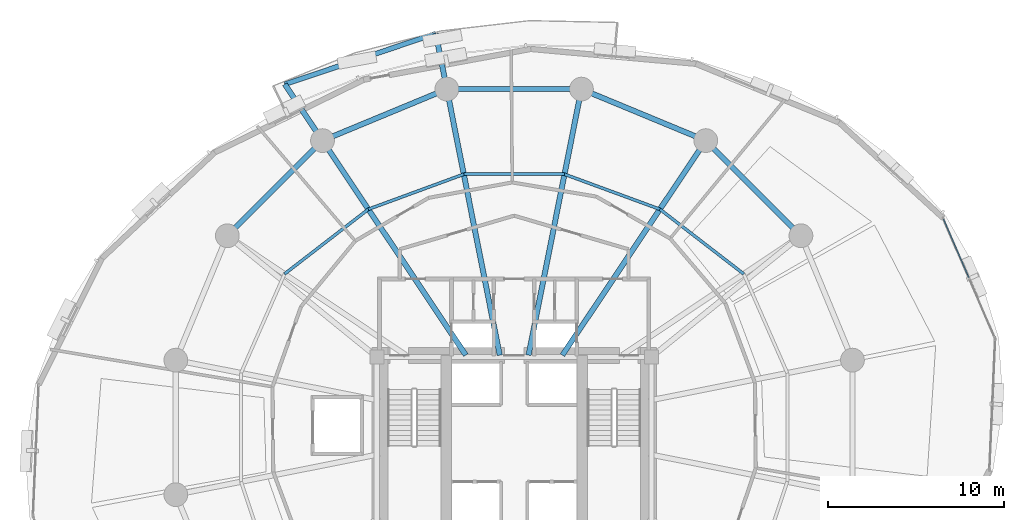
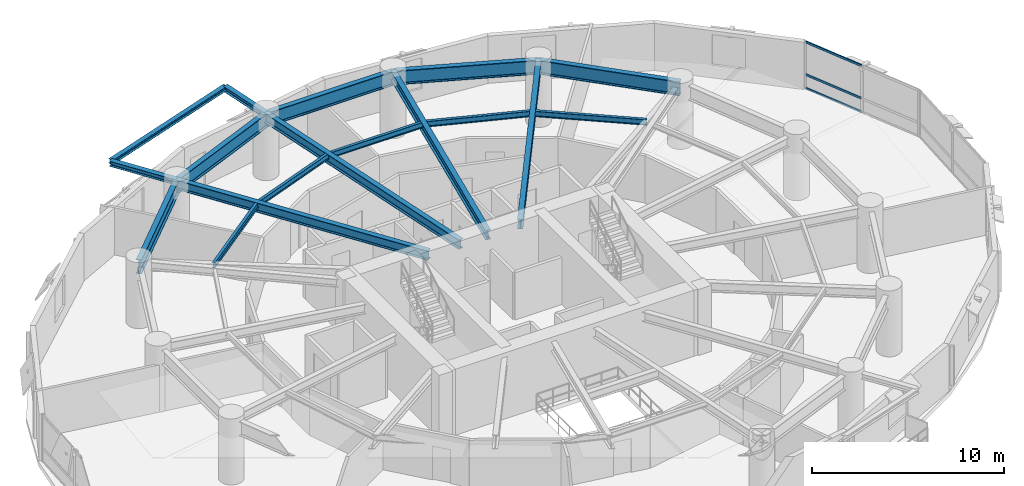
# One storey, part 9 of 17: 17 beams, 3 members, 1 element without a shape of its own.
"""IFC4 building model written with IfcOpenShell, lengths in metres."""

import ifcopenshell
import ifcopenshell.guid

model = None  # the IFC model being written
_history = None  # IfcOwnerHistory: only IFC2X3 demands one
_inside = {}  # id of a spatial element -> (the spatial element, [elements in it])
_under = {}  # id of a project, library or spatial element -> (it, [spatial elements below it])
_declared = {}  # id of a project -> (the project, [libraries it declares])
_typed = {}  # id of a type object -> (the type object, [elements of that type])
_made_of = {}  # id of a material, layer set ... -> (it, [elements and type objects made of it])


def new_model(schema):
    """Start an empty IFC model of exactly this schema.

    Asked for "IFC4X3", IfcOpenShell would pick the latest addendum, in which some entities
    have other attributes; the version numbers below select the first issue.
    IFC2X3 requires an IfcOwnerHistory on every rooted entity: one is made here for all.
    """
    global model, _history
    if schema == "IFC4X3":
        model = ifcopenshell.file(schema_version=(4, 3, 0, 0))
    else:
        model = ifcopenshell.file(schema=schema)
    _inside.clear()
    _under.clear()
    _declared.clear()
    _typed.clear()
    _made_of.clear()
    _history = None
    if model.schema == "IFC2X3":
        org = make("IfcOrganization", Name="unknown")
        user = make(
            "IfcPersonAndOrganization",
            ThePerson=make("IfcPerson", FamilyName="unknown"),
            TheOrganization=org,
        )
        app = make(
            "IfcApplication",
            ApplicationDeveloper=org,
            Version="unknown",
            ApplicationFullName="unknown",
            ApplicationIdentifier="unknown",
        )
        _history = make(
            "IfcOwnerHistory",
            OwningUser=user,
            OwningApplication=app,
            ChangeAction="ADDED",
            CreationDate=0,
        )
    return model


def make(cls, **values):
    """One entity of the class cls with the attributes given. An attribute that is None is left unset."""
    return model.create_entity(
        cls, **{name: value for name, value in values.items() if value is not None}
    )


def rooted(cls, **values):
    """An entity with a GlobalId (a new one), such as an element, a storey or a relation."""
    return make(cls, GlobalId=ifcopenshell.guid.new(), OwnerHistory=_history, **values)


def si_unit(unit_type, name, prefix=None):
    """IfcSIUnit, for example si_unit("LENGTHUNIT", "METRE", prefix="MILLI")."""
    return make("IfcSIUnit", UnitType=unit_type, Prefix=prefix, Name=name)


def assignment(units):
    """IfcUnitAssignment: the units of a project."""
    return None if units is None else make("IfcUnitAssignment", Units=units)


def point(xyz):
    """IfcCartesianPoint."""
    return None if xyz is None else make("IfcCartesianPoint", Coordinates=xyz)


def direction(xyz):
    """IfcDirection."""
    return None if xyz is None else make("IfcDirection", DirectionRatios=xyz)


def frame(location, z_axis=None, x_axis=None):
    """IfcAxis2Placement3D, a coordinate frame: its origin and axes. An axis left out is left unset."""
    return make(
        "IfcAxis2Placement3D",
        Location=point(location),
        Axis=direction(z_axis),
        RefDirection=direction(x_axis),
    )


def frame_2d(location, x_axis=None):
    """IfcAxis2Placement2D, a coordinate frame in the plane: its origin and x axis."""
    return make(
        "IfcAxis2Placement2D", Location=point(location), RefDirection=direction(x_axis)
    )


def origin():
    """The frame at (0, 0, 0) with its axes left unset."""
    return frame((0.0, 0.0, 0.0))


def origin_2d():
    """The frame at (0, 0) in the plane with its x axis left unset."""
    return frame_2d((0.0, 0.0))


def place(relative_to, where):
    """IfcLocalPlacement: puts the frame where relative to a parent placement (None: the world)."""
    return make(
        "IfcLocalPlacement", PlacementRelTo=relative_to, RelativePlacement=where
    )


def context(
    kind, dimensions, precision=None, world=None, true_north=None, identifier=None
):
    """IfcGeometricRepresentationContext, for example the 3D "Model" context."""
    return make(
        "IfcGeometricRepresentationContext",
        ContextIdentifier=identifier,
        ContextType=kind,
        CoordinateSpaceDimension=dimensions,
        Precision=precision,
        WorldCoordinateSystem=world,
        TrueNorth=true_north,
    )


def subcontext(parent, identifier, kind, view, scale=None):
    """IfcGeometricRepresentationSubContext, for example "Body" below "Model"."""
    return make(
        "IfcGeometricRepresentationSubContext",
        ContextIdentifier=identifier,
        ContextType=kind,
        ParentContext=parent,
        TargetScale=scale,
        TargetView=view,
    )


def project(units=None, contexts=None):
    """IfcProject with its units and contexts."""
    return rooted(
        "IfcProject",
        Name="project",
        RepresentationContexts=contexts,
        UnitsInContext=assignment(units),
    )


def spatial(cls, under=None, at=None, **own):
    """A site, building, storey or space (cls), placed at a placement, below another one or the project."""
    s = rooted(cls, ObjectPlacement=at, **own)
    if under is not None:
        _under.setdefault(under.id(), (under, []))[1].append(s)
    return s


def profile(cls, at=None, kind="AREA", **sizes):
    """A parametric profile (cls). Its sizes go by their IFC names, for example OverallWidth=200.0."""
    return make(cls, ProfileType=kind, Position=at, **sizes)


def hollow_rectangle(**sizes):
    """IfcRectangleHollowProfileDef."""
    return profile("IfcRectangleHollowProfileDef", **sizes)


def i_section(**sizes):
    """IfcIShapeProfileDef."""
    return profile("IfcIShapeProfileDef", **sizes)


def extrude(swept, where, along, depth):
    """IfcExtrudedAreaSolid: the profile swept, set in the frame where, extruded along a direction by depth."""
    return make(
        "IfcExtrudedAreaSolid",
        SweptArea=swept,
        Position=where,
        ExtrudedDirection=direction(along),
        Depth=depth,
    )


def shape(context_of_items, identifier, shape_type, items):
    """IfcShapeRepresentation: the items that make up one representation, for example the "Body"."""
    return make(
        "IfcShapeRepresentation",
        ContextOfItems=context_of_items,
        RepresentationIdentifier=identifier,
        RepresentationType=shape_type,
        Items=items,
    )


def material(Name=None, Category=None):
    """IfcMaterial."""
    return make("IfcMaterial", Name=Name, Category=Category)


def layer(
    of_material, thickness, ventilated=None, Name=None, Category=None, Priority=None
):
    """IfcMaterialLayer: one layer of a wall or slab, of a material (None: an air gap)."""
    return make(
        "IfcMaterialLayer",
        Material=of_material,
        LayerThickness=thickness,
        IsVentilated=ventilated,
        Name=Name,
        Category=Category,
        Priority=Priority,
    )


def layer_set(layers, Name=None):
    """IfcMaterialLayerSet."""
    return make("IfcMaterialLayerSet", MaterialLayers=layers, LayerSetName=Name)


def material_profile(
    of_material, cross_section, Name=None, Category=None, Priority=None
):
    """IfcMaterialProfile: a cross section and its material."""
    return make(
        "IfcMaterialProfile",
        Name=Name,
        Material=of_material,
        Profile=cross_section,
        Priority=Priority,
        Category=Category,
    )


def profile_set(profiles, Name=None, composite=None):
    """IfcMaterialProfileSet."""
    return make(
        "IfcMaterialProfileSet",
        Name=Name,
        MaterialProfiles=profiles,
        CompositeProfile=composite,
    )


def made_of(thing, what):
    """Note that an element or type object is made of a material, layer set ...; save() writes the relation."""
    if what is not None:
        _made_of.setdefault(what.id(), (what, []))[1].append(thing)
    return thing


def type_object(cls, material=None, **own):
    """A type object (cls), such as IfcWallType, which elements share."""
    return made_of(rooted(cls, **own), material)


def element(
    cls,
    number,
    at=None,
    inside=None,
    cuts=None,
    type_object=None,
    material=None,
    context=None,
    identifier="Body",
    shape_type=None,
    held_by="IfcProductDefinitionShape",
    body=None,
    shapes=None,
    **own,
):
    """One element of the class cls, such as IfcWall. Its Tag is "e" and its number.

    at: its placement. inside: the storey or other place that contains it. cuts: it is an
    opening in that element (IfcRelVoidsElement). A single representation is given by context,
    identifier, shape_type and body (its items); several are given by shapes. held_by: the class
    of the entity that holds the representations. save() writes the other relations.
    """
    e = rooted(cls, Tag="e%d" % number, ObjectPlacement=at, **own)
    if body is not None:
        shapes = [shape(context, identifier, shape_type, body)]
    if shapes is not None:
        e.Representation = make(held_by, Representations=shapes)
    if inside is not None:
        _inside.setdefault(inside.id(), (inside, []))[1].append(e)
    if cuts is not None:
        rooted(
            "IfcRelVoidsElement", RelatingBuildingElement=cuts, RelatedOpeningElement=e
        )
    if type_object is not None:
        _typed.setdefault(type_object.id(), (type_object, []))[1].append(e)
    return made_of(e, material)


def aggregate(whole, parts):
    """IfcRelAggregates: a whole, such as a stair, and the parts it consists of."""
    return rooted("IfcRelAggregates", RelatingObject=whole, RelatedObjects=parts)


def save(model, path):
    """Write the relations noted so far, then the file.

    IfcRelAggregates (storeys below a building ...), IfcRelContainedInSpatialStructure (elements
    in a storey), IfcRelDefinesByType, IfcRelAssociatesMaterial and IfcRelDeclares: one each for
    every whole, place, type object, material and project.
    """
    for whole, parts in _under.values():
        aggregate(whole, parts)
    for where, things in _inside.values():
        rooted(
            "IfcRelContainedInSpatialStructure",
            RelatedElements=things,
            RelatingStructure=where,
        )
    for kind, things in _typed.values():
        rooted("IfcRelDefinesByType", RelatedObjects=things, RelatingType=kind)
    for what, things in _made_of.values():
        rooted("IfcRelAssociatesMaterial", RelatedObjects=things, RelatingMaterial=what)
    for by, libraries in _declared.values():
        rooted("IfcRelDeclares", RelatingContext=by, RelatedDefinitions=libraries)
    model.write(path)


model = new_model("IFC4")

# Units and contexts
model_context = context("Model", 3, precision=1e-05, world=origin(), true_north=direction((0.0, 1.0)))
body_context = subcontext(model_context, "Body", "Model", "MODEL_VIEW")
ifc_project = project(units=[si_unit("LENGTHUNIT", "METRE"), si_unit("AREAUNIT", "SQUARE_METRE"), si_unit("VOLUMEUNIT", "CUBIC_METRE"), si_unit("PLANEANGLEUNIT", "RADIAN"), si_unit("MASSUNIT", "GRAM", prefix="KILO"), si_unit("THERMODYNAMICTEMPERATUREUNIT", "KELVIN"), si_unit("POWERUNIT", "WATT")], contexts=[model_context])

# Site, building, storey
site_placement = place(None, origin())
site = spatial("IfcSite", under=ifc_project, at=site_placement, CompositionType="ELEMENT")
building_placement = place(site_placement, origin())
building = spatial("IfcBuilding", under=site, at=building_placement, Name="Ocrelia Relay Tower", CompositionType="ELEMENT")
storey_placement = place(building_placement, frame((0.0, 0.0, 76.199951171875)))
storey = spatial("IfcBuildingStorey", under=building, at=storey_placement, Name="L17", CompositionType="ELEMENT", Elevation=76.199951171875)

# Beams
ifc_material_1 = material(Name="Steel S355", Category="steel")
ifc_material_profile_1 = material_profile(ifc_material_1, i_section(OverallWidth=0.280029296875, OverallDepth=0.27001953125, WebThickness=0.008056640625, FlangeThickness=0.012939453125, FilletRadius=0.02392578125, at=origin_2d()), Name="HEA 280")
ifc_profile_set_1 = profile_set([ifc_material_profile_1], Name="Steel S355")
beam_type_1 = type_object("IfcBeamType", Name="BM-HEA280", PredefinedType="BEAM", material=ifc_profile_set_1)
beam_1_placement = place(storey_placement, frame((29.548095703125, 48.380615234375, 3.78515625), z_axis=(-0.947889705316, -0.318598660632, 0.0), x_axis=(0.318598660632, -0.947889705316, 0.0)))
element("IfcBeam", 1, at=beam_1_placement, inside=storey, type_object=beam_type_1, Name="L18 Balcony Edge Trimmer Beam B1", PredefinedType="BEAM", context=body_context, shape_type="SweptSolid", body=[
    extrude(i_section(OverallWidth=0.280029296875, OverallDepth=0.27001953125, WebThickness=0.008056640625, FlangeThickness=0.012939453125, FilletRadius=0.02392578125, at=origin_2d()), origin(), (0.0, 0.0, 1.0), 9.047607421875),
])
ifc_material_profile_2 = material_profile(ifc_material_1, i_section(OverallWidth=0.300048828125, OverallDepth=0.330078125, WebThickness=0.009521484375, FlangeThickness=0.0166015625, FilletRadius=0.027099609375, at=origin_2d()), Name="HEA 340")
ifc_profile_set_2 = profile_set([ifc_material_profile_2], Name="Steel S355")
beam_type_2 = type_object("IfcBeamType", Name="BM-HEA340", PredefinedType="BEAM", material=ifc_profile_set_2)
beam_2_placement = place(storey_placement, frame((30.17626953125, 45.223388671875, 3.755126953125), z_axis=(-0.195138855829, 0.980775625179, 0.0), x_axis=(-0.980775625179, -0.195138855829, 0.0)))
element("IfcBeam", 2, at=beam_2_placement, inside=storey, type_object=beam_type_2, Name="L18 Balcony Cantilever Beam B1-1", PredefinedType="BEAM", context=body_context, shape_type="SweptSolid", body=[
    extrude(i_section(OverallWidth=0.300048828125, OverallDepth=0.330078125, WebThickness=0.009521484375, FlangeThickness=0.0166015625, FilletRadius=0.027099609375, at=origin_2d()), origin(), (0.0, 0.0, 1.0), 3.218994140625),
])
beam_3_placement = place(storey_placement, frame((23.11083984375, 42.296875, 3.755126953125), z_axis=(-0.555563293078, 0.831474249382, 0.0), x_axis=(-0.831474249382, -0.555563293078, 0.0)))
element("IfcBeam", 3, at=beam_3_placement, inside=storey, type_object=beam_type_2, Name="L18 Balcony Cantilever Beam B1-2", PredefinedType="BEAM", context=body_context, shape_type="SweptSolid", body=[
    extrude(i_section(OverallWidth=0.300048828125, OverallDepth=0.330078125, WebThickness=0.009521484375, FlangeThickness=0.0166015625, FilletRadius=0.027099609375, at=origin_2d()), origin(), (0.0, 0.0, 1.0), 3.85009765625),
])
ifc_material_profile_3 = material_profile(ifc_material_1, i_section(OverallWidth=0.300048828125, OverallDepth=0.60009765625, WebThickness=0.015380859375, FlangeThickness=0.030029296875, FilletRadius=0.027099609375, at=origin_2d()), Name="HEB 600")
ifc_profile_set_3 = profile_set([ifc_material_profile_3], Name="Steel S355")
beam_type_3 = type_object("IfcBeamType", Name="BM-HEB600", PredefinedType="BEAM", material=ifc_profile_set_3)
beam_4_placement = place(storey_placement, frame((44.88916015625, 42.296875, 3.6201171875), z_axis=(-0.555564422059, -0.831473495033, 0.0), x_axis=(0.831473495033, -0.555564422059, 0.0)))
element("IfcBeam", 4, at=beam_4_placement, inside=storey, type_object=beam_type_3, Name="L17 Radial Floor Girder R03", PredefinedType="BEAM", context=body_context, shape_type="SweptSolid", body=[
    extrude(i_section(OverallWidth=0.300048828125, OverallDepth=0.60009765625, WebThickness=0.015380859375, FlangeThickness=0.030029296875, FilletRadius=0.027099609375, at=origin_2d()), origin(), (0.0, 0.0, 1.0), 14.6630859375),
])
for number, where, z_axis, x_axis, name in (
    (5, (37.82373046875, 45.223388671875, 3.6201171875), (-0.19509567956, -0.980784214706, 0.0), (0.980784214706, -0.19509567956, 0.0), "L17 Radial Floor Girder R04"),
    (6, (30.17626953125, 45.223388671875, 3.6201171875), (0.19509567956, -0.980784214706, 0.0), (0.980784214706, 0.19509567956, 0.0), "L17 Radial Floor Girder R05"),
):
    element("IfcBeam", number, at=place(storey_placement, frame(where, z_axis=z_axis, x_axis=x_axis)), inside=storey, type_object=beam_type_3, Name=name, PredefinedType="BEAM", context=body_context, shape_type="SweptSolid", body=[
        extrude(i_section(OverallWidth=0.300048828125, OverallDepth=0.60009765625, WebThickness=0.015380859375, FlangeThickness=0.030029296875, FilletRadius=0.027099609375, at=origin_2d()), origin(), (0.0, 0.0, 1.0), 15.41455078125),
    ])
beam_5_placement = place(storey_placement, frame((23.11083984375, 42.296875, 3.6201171875), z_axis=(0.555564422059, -0.831473495033, 0.0), x_axis=(0.831473495033, 0.555564422059, 0.0)))
element("IfcBeam", 7, at=beam_5_placement, inside=storey, type_object=beam_type_3, Name="L17 Radial Floor Girder R06", PredefinedType="BEAM", context=body_context, shape_type="SweptSolid", body=[
    extrude(i_section(OverallWidth=0.300048828125, OverallDepth=0.60009765625, WebThickness=0.015380859375, FlangeThickness=0.030029296875, FilletRadius=0.027099609375, at=origin_2d()), origin(), (0.0, 0.0, 1.0), 14.6630859375),
])
ifc_material_profile_4 = material_profile(ifc_material_1, i_section(OverallWidth=0.300048828125, OverallDepth=0.89990234375, WebThickness=0.0185546875, FlangeThickness=0.034912109375, FilletRadius=0.030029296875, at=origin_2d()), Name="HEB 900")
ifc_profile_set_4 = profile_set([ifc_material_profile_4], Name="Steel S355")
beam_type_4 = type_object("IfcBeamType", Name="BM-HEB900", PredefinedType="BEAM", material=ifc_profile_set_4)
beam_6_placement = place(storey_placement, frame((50.296875, 36.88916015625, 3.469970703125), z_axis=(-0.707106781187, 0.707106781187, 0.0), x_axis=(-0.707106781187, -0.707106781187, 0.0)))
element("IfcBeam", 8, at=beam_6_placement, inside=storey, type_object=beam_type_4, Name="L17 Perimeter Spandrel Beam S02", PredefinedType="BEAM", context=body_context, shape_type="SweptSolid", body=[
    extrude(i_section(OverallWidth=0.300048828125, OverallDepth=0.89990234375, WebThickness=0.0185546875, FlangeThickness=0.034912109375, FilletRadius=0.030029296875, at=origin_2d()), origin(), (0.0, 0.0, 1.0), 7.647705078125),
])
for number, where, z_axis, x_axis, name in (
    (9, (44.88916015625, 42.296875, 3.469970703125), (-0.923883375589, 0.382674154222, 0.0), (-0.382674154222, -0.923883375589, 0.0), "L17 Perimeter Spandrel Beam S03"),
    (10, (37.82373046875, 45.223388671875, 3.469970703125), (-1.0, 0.0, 0.0), (0.0, -1.0, 0.0), "L17 Perimeter Spandrel Beam S04"),
    (11, (30.17626953125, 45.223388671875, 3.469970703125), (-0.923883375589, -0.382674154222, 0.0), (0.382674154222, -0.923883375589, 0.0), "L17 Perimeter Spandrel Beam S05"),
):
    element("IfcBeam", number, at=place(storey_placement, frame(where, z_axis=z_axis, x_axis=x_axis)), inside=storey, type_object=beam_type_4, Name=name, PredefinedType="BEAM", context=body_context, shape_type="SweptSolid", body=[
        extrude(i_section(OverallWidth=0.300048828125, OverallDepth=0.89990234375, WebThickness=0.0185546875, FlangeThickness=0.034912109375, FilletRadius=0.030029296875, at=origin_2d()), origin(), (0.0, 0.0, 1.0), 7.6474609375),
    ])
beam_7_placement = place(storey_placement, frame((23.11083984375, 42.296875, 3.469970703125), z_axis=(-0.707106781187, -0.707106781187, 0.0), x_axis=(0.707106781187, -0.707106781187, 0.0)))
element("IfcBeam", 12, at=beam_7_placement, inside=storey, type_object=beam_type_4, Name="L17 Perimeter Spandrel Beam S06", PredefinedType="BEAM", context=body_context, shape_type="SweptSolid", body=[
    extrude(i_section(OverallWidth=0.300048828125, OverallDepth=0.89990234375, WebThickness=0.0185546875, FlangeThickness=0.034912109375, FilletRadius=0.030029296875, at=origin_2d()), origin(), (0.0, 0.0, 1.0), 7.647705078125),
])
ifc_material_profile_5 = material_profile(ifc_material_1, i_section(OverallWidth=0.169921875, OverallDepth=0.360107421875, WebThickness=0.008056640625, FlangeThickness=0.0126953125, FilletRadius=0.01806640625, at=origin_2d()), Name="IPE 360")
ifc_profile_set_5 = profile_set([ifc_material_profile_5], Name="Steel S355")
beam_type_5 = type_object("IfcBeamType", Name="BM-IPE360", PredefinedType="JOIST", material=ifc_profile_set_5)
beam_8_placement = place(storey_placement, frame((47.0478515625, 34.71826171875, 3.739990234375), z_axis=(-0.791694256239, 0.610917510502, 0.0), x_axis=(-0.610917510502, -0.791694256239, 0.0)))
element("IfcBeam", 13, at=beam_8_placement, inside=storey, type_object=beam_type_5, Name="L17 Secondary Floor Joist J02", PredefinedType="JOIST", context=body_context, shape_type="SweptSolid", body=[
    extrude(i_section(OverallWidth=0.169921875, OverallDepth=0.360107421875, WebThickness=0.008056640625, FlangeThickness=0.0126953125, FilletRadius=0.01806640625, at=origin_2d()), origin(), (0.0, 0.0, 1.0), 6.019287109375),
])
beam_9_placement = place(storey_placement, frame((42.282470703125, 38.3955078125, 3.739990234375), z_axis=(-0.938745977034, 0.344609910773, 0.0), x_axis=(-0.344609910773, -0.938745977034, 0.0)))
element("IfcBeam", 14, at=beam_9_placement, inside=storey, type_object=beam_type_5, Name="L17 Secondary Floor Joist J03", PredefinedType="JOIST", context=body_context, shape_type="SweptSolid", body=[
    extrude(i_section(OverallWidth=0.169921875, OverallDepth=0.360107421875, WebThickness=0.008056640625, FlangeThickness=0.0126953125, FilletRadius=0.01806640625, at=origin_2d()), origin(), (0.0, 0.0, 1.0), 5.774658203125),
])
beam_10_placement = place(storey_placement, frame((36.861572265625, 40.385498046875, 3.739990234375), z_axis=(-1.0, 0.0, 0.0), x_axis=(0.0, -1.0, 0.0)))
element("IfcBeam", 15, at=beam_10_placement, inside=storey, type_object=beam_type_5, Name="L17 Secondary Floor Joist J04", PredefinedType="JOIST", context=body_context, shape_type="SweptSolid", body=[
    extrude(i_section(OverallWidth=0.169921875, OverallDepth=0.360107421875, WebThickness=0.008056640625, FlangeThickness=0.0126953125, FilletRadius=0.01806640625, at=origin_2d()), origin(), (0.0, 0.0, 1.0), 5.72314453125),
])
beam_11_placement = place(storey_placement, frame((31.138427734375, 40.385498046875, 3.739990234375), z_axis=(-0.938745977034, -0.344609910773, 0.0), x_axis=(0.344609910773, -0.938745977034, 0.0)))
element("IfcBeam", 16, at=beam_11_placement, inside=storey, type_object=beam_type_5, Name="L17 Secondary Floor Joist J05", PredefinedType="JOIST", context=body_context, shape_type="SweptSolid", body=[
    extrude(i_section(OverallWidth=0.169921875, OverallDepth=0.360107421875, WebThickness=0.008056640625, FlangeThickness=0.0126953125, FilletRadius=0.01806640625, at=origin_2d()), origin(), (0.0, 0.0, 1.0), 5.774658203125),
])
beam_12_placement = place(storey_placement, frame((25.717529296875, 38.3955078125, 3.739990234375), z_axis=(-0.791694256239, -0.610917510502, 0.0), x_axis=(0.610917510502, -0.791694256239, 0.0)))
element("IfcBeam", 17, at=beam_12_placement, inside=storey, type_object=beam_type_5, Name="L17 Secondary Floor Joist J06", PredefinedType="JOIST", context=body_context, shape_type="SweptSolid", body=[
    extrude(i_section(OverallWidth=0.169921875, OverallDepth=0.360107421875, WebThickness=0.008056640625, FlangeThickness=0.0126953125, FilletRadius=0.01806640625, at=origin_2d()), origin(), (0.0, 0.0, 1.0), 6.019287109375),
])

# Curtain wall, members
ifc_material_2 = material(Name="Aluminium and solar-control low-E glass", Category="aluminium")
ifc_layer = layer(ifc_material_2, 0.179931640625, Name="Aluminium and solar-control low-E glass")
ifc_layer_set = layer_set([ifc_layer], Name="Aluminium and solar-control low-E glass")
curtain_wall_type = type_object("IfcCurtainWallType", Name="CW-SYS-Z1-DATA", PredefinedType="NOTDEFINED", material=ifc_layer_set)
curtain_wall_placement = place(storey_placement, origin())
curtain_wall = element("IfcCurtainWall", 18, at=curtain_wall_placement, inside=storey, type_object=curtain_wall_type, Name="L17 Elliptical Tower Curtain Wall Bay 01", PredefinedType="NOTDEFINED")
ifc_material_3 = material(Name="Anodised bronze aluminium", Category="aluminium")
ifc_material_profile_6 = material_profile(ifc_material_3, hollow_rectangle(XDim=0.06494140625, YDim=0.139892578125, WallThickness=0.0048828125, at=origin_2d()), Name="CW-TRN-140x65")
ifc_profile_set_6 = profile_set([ifc_material_profile_6], Name="Anodised bronze aluminium")
member_type = type_object("IfcMemberType", Name="CW-SYS-Z1-DATA-TRN", PredefinedType="USERDEFINED", material=ifc_profile_set_6)
member_1_placement = place(storey_placement, frame((59.83984375, 34.50439453125, 0.032470703125), z_axis=(-0.397258487569, 0.917706758205, 0.0), x_axis=(-0.917706758205, -0.397258487569, 0.0)))
member_1 = element("IfcMember", 19, at=member_1_placement, type_object=member_type, Name="CW-Z1 transom 2.1", ObjectType="TRANSOM", PredefinedType="USERDEFINED", context=body_context, shape_type="SweptSolid", body=[
    extrude(hollow_rectangle(XDim=0.06494140625, YDim=0.139892578125, WallThickness=0.0048828125, at=origin_2d()), origin(), (0.0, 0.0, 1.0), 3.632568359375),
])
member_2_placement = place(storey_placement, frame((59.83984375, 34.50439453125, 0.900146484375), z_axis=(-0.397258487569, 0.917706758205, 0.0), x_axis=(-0.917706758205, -0.397258487569, 0.0)))
member_2 = element("IfcMember", 20, at=member_2_placement, type_object=member_type, Name="CW-Z1 transom 2.2", ObjectType="TRANSOM", PredefinedType="USERDEFINED", context=body_context, shape_type="SweptSolid", body=[
    extrude(hollow_rectangle(XDim=0.06494140625, YDim=0.139892578125, WallThickness=0.0048828125, at=origin_2d()), origin(), (0.0, 0.0, 1.0), 3.632568359375),
])
member_3_placement = place(storey_placement, frame((59.83984375, 34.50439453125, 2.967529296875), z_axis=(-0.397258487569, 0.917706758205, 0.0), x_axis=(-0.917706758205, -0.397258487569, 0.0)))
member_3 = element("IfcMember", 21, at=member_3_placement, type_object=member_type, Name="CW-Z1 transom 2.3", ObjectType="TRANSOM", PredefinedType="USERDEFINED", context=body_context, shape_type="SweptSolid", body=[
    extrude(hollow_rectangle(XDim=0.06494140625, YDim=0.139892578125, WallThickness=0.0048828125, at=origin_2d()), origin(), (0.0, 0.0, 1.0), 3.632568359375),
])
aggregate(curtain_wall, [member_1, member_2, member_3])

save(model, "model.ifc")
